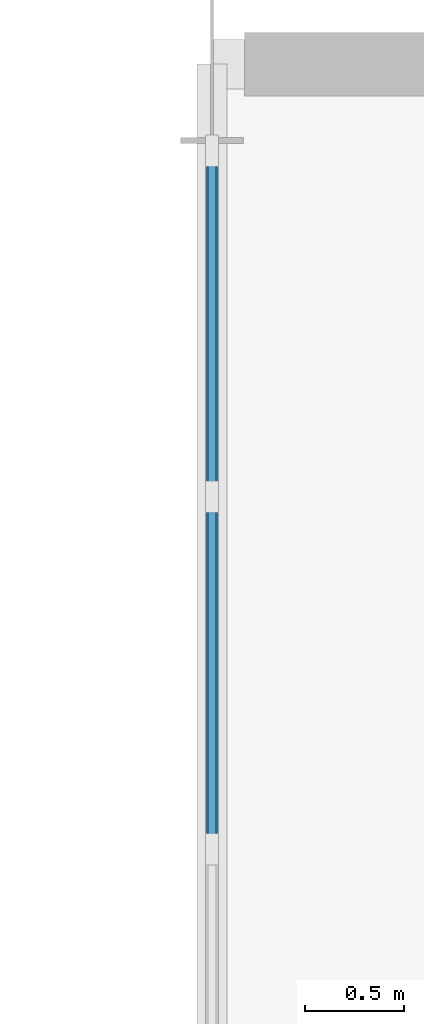
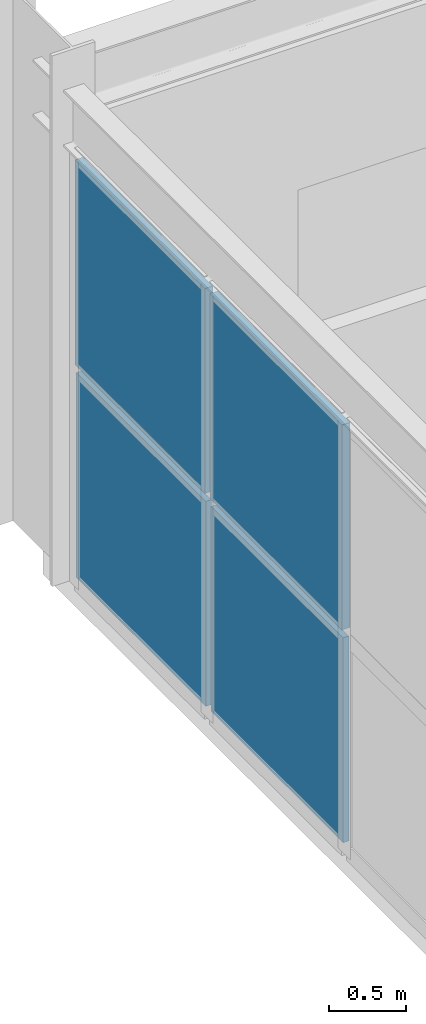
# One storey, part 51 of 83: 4 plates, 1 element without a shape of its own.
"""IFC4 building model written with IfcOpenShell, lengths in metres."""

from ifc_helpers import new_model, si_unit, direction, frame, origin, origin_2d, place, context, subcontext, project, spatial, rectangle, extrude, material, layer, layer_set, type_object, element, aggregate, save


model = new_model("IFC4")

# Units and contexts
model_context = context("Model", 3, precision=1e-05, world=origin(), true_north=direction((0.0, 1.0)))
body_context = subcontext(model_context, "Body", "Model", "MODEL_VIEW")
ifc_project = project(units=[si_unit("LENGTHUNIT", "METRE"), si_unit("AREAUNIT", "SQUARE_METRE"), si_unit("VOLUMEUNIT", "CUBIC_METRE"), si_unit("PLANEANGLEUNIT", "RADIAN"), si_unit("MASSUNIT", "GRAM", prefix="KILO")], contexts=[model_context])

# Site, building, storey
site_placement = place(None, origin())
site = spatial("IfcSite", under=ifc_project, at=site_placement, CompositionType="ELEMENT")
building_placement = place(site_placement, origin())
building = spatial("IfcBuilding", under=site, at=building_placement, Name="Varnakota Square Police Headquarters", CompositionType="ELEMENT")
storey_placement = place(building_placement, frame((0.0, 0.0, 18.0)))
storey = spatial("IfcBuildingStorey", under=building, at=storey_placement, Name="L04", CompositionType="ELEMENT", Elevation=18.0)

# Curtain wall, plates
ifc_material_1 = material(Name="Anodised Aluminium Framing", Category="aluminium")
curtain_wall_type = type_object("IfcCurtainWallType", Name="CW-SYS-E", PredefinedType="NOTDEFINED", material=ifc_material_1)
curtain_wall_placement = place(storey_placement, origin())
curtain_wall = element("IfcCurtainWall", 1, at=curtain_wall_placement, inside=storey, type_object=curtain_wall_type, Name="Unitised curtain wall CWG-L04-098", PredefinedType="NOTDEFINED")
ifc_material_2 = material(Name="Triple-Glazed Clean-Lab Vision Unit", Category="aluminium")
ifc_layer_1 = layer(ifc_material_2, 0.0419921875, Name="Triple-Glazed Clean-Lab Vision Unit")
ifc_layer_set_1 = layer_set([ifc_layer_1], Name="Triple-Glazed Clean-Lab Vision Unit")
plate_type_1 = type_object("IfcPlateType", Name="CWP-GLZ-42", PredefinedType="CURTAIN_PANEL", material=ifc_layer_set_1)
plate_1_placement = place(storey_placement, frame((138.0, 41.925048828125, 0.06494140625), z_axis=(0.0, 0.0, 1.0), x_axis=(0.0, 1.0, 0.0)))
plate_1 = element("IfcPlate", 2, at=plate_1_placement, type_object=plate_type_1, Name="CWG-L04-098 panel 2.1", PredefinedType="CURTAIN_PANEL", context=body_context, shape_type="SweptSolid", body=[
    extrude(rectangle(XDim=1.715087890625, YDim=0.0419921875, at=origin_2d()), origin(), (0.0, 0.0, 1.0), 1.62255859375),
])
plate_2_placement = place(storey_placement, frame((138.0, 43.688720703125, 0.06494140625), z_axis=(0.0, 0.0, 1.0), x_axis=(0.0, 1.0, 0.0)))
plate_2 = element("IfcPlate", 3, at=plate_2_placement, type_object=plate_type_1, Name="CWG-L04-098 panel 3.1", PredefinedType="CURTAIN_PANEL", context=body_context, shape_type="SweptSolid", body=[
    extrude(rectangle(XDim=1.6826171875, YDim=0.0419921875, at=origin_2d()), origin(), (0.0, 0.0, 1.0), 1.62255859375),
])
ifc_material_3 = material(Name="Fire-Stopped Mineral-Wool Spandrel Panel", Category="aluminium")
ifc_layer_2 = layer(ifc_material_3, 0.06005859375, Name="Fire-Stopped Mineral-Wool Spandrel Panel")
ifc_layer_set_2 = layer_set([ifc_layer_2], Name="Fire-Stopped Mineral-Wool Spandrel Panel")
plate_type_2 = type_object("IfcPlateType", Name="CWP-SPN-60", PredefinedType="CURTAIN_PANEL", material=ifc_layer_set_2)
plate_3_placement = place(storey_placement, frame((138.0, 41.925048828125, 1.75244140625), z_axis=(0.0, 0.0, 1.0), x_axis=(0.0, 1.0, 0.0)))
plate_3 = element("IfcPlate", 4, at=plate_3_placement, type_object=plate_type_2, Name="CWG-L04-098 panel 2.2", PredefinedType="CURTAIN_PANEL", context=body_context, shape_type="SweptSolid", body=[
    extrude(rectangle(XDim=1.715087890625, YDim=0.06005859375, at=origin_2d()), origin(), (0.0, 0.0, 1.0), 1.62255859375),
])
plate_4_placement = place(storey_placement, frame((138.0, 43.688720703125, 1.75244140625), z_axis=(0.0, 0.0, 1.0), x_axis=(0.0, 1.0, 0.0)))
plate_4 = element("IfcPlate", 5, at=plate_4_placement, type_object=plate_type_2, Name="CWG-L04-098 panel 3.2", PredefinedType="CURTAIN_PANEL", context=body_context, shape_type="SweptSolid", body=[
    extrude(rectangle(XDim=1.6826171875, YDim=0.06005859375, at=origin_2d()), origin(), (0.0, 0.0, 1.0), 1.62255859375),
])
aggregate(curtain_wall, [plate_1, plate_3, plate_2, plate_4])

save(model, "model.ifc")
